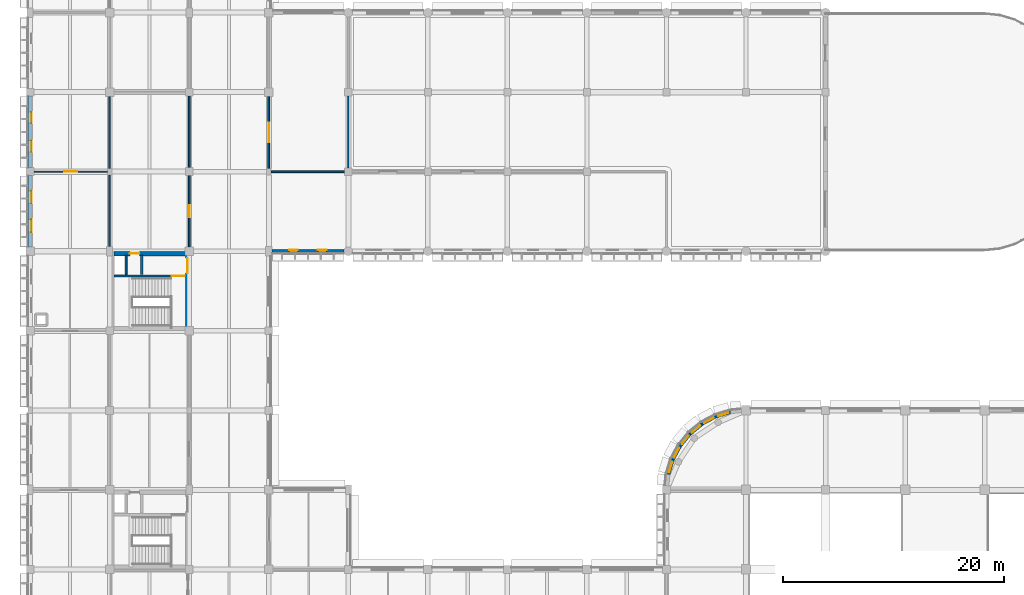
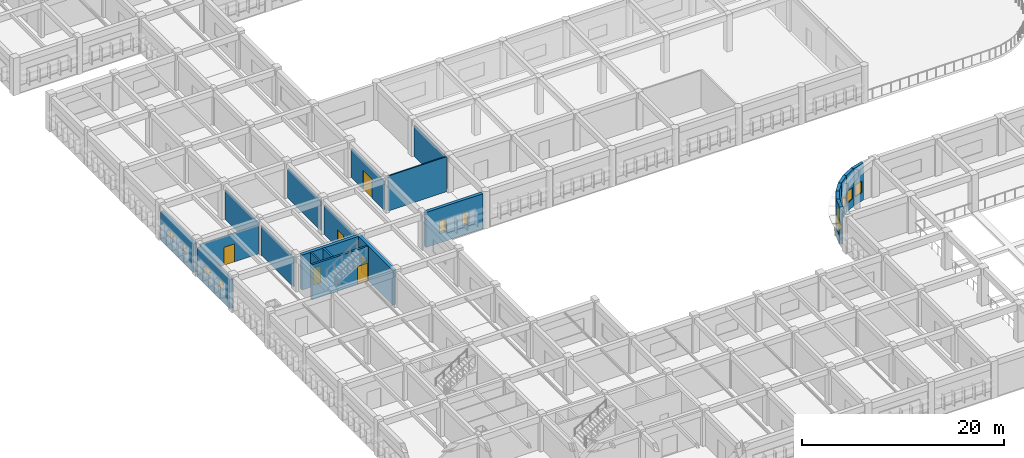
# One storey, part 38 of 61: 22 walls, 12 windows, 6 doors, 18 openings.
"""IFC4 building model written with IfcOpenShell, lengths in metres."""

from ifc_helpers import new_model, si_unit, direction, frame, frame_2d, origin, place, context, subcontext, project, spatial, rectangle, extrude, material, layer, layer_set, type_object, element, fill, save


model = new_model("IFC4")

# Units and contexts
model_context = context("Model", 3, precision=1e-05, world=origin(), true_north=direction((0.0, 1.0)))
body_context = subcontext(model_context, "Body", "Model", "MODEL_VIEW")
ifc_project = project(units=[si_unit("LENGTHUNIT", "METRE"), si_unit("AREAUNIT", "SQUARE_METRE"), si_unit("VOLUMEUNIT", "CUBIC_METRE"), si_unit("PLANEANGLEUNIT", "RADIAN"), si_unit("MASSUNIT", "GRAM", prefix="KILO")], contexts=[model_context])

# Site, building, storey
site_placement = place(None, origin())
site = spatial("IfcSite", under=ifc_project, at=site_placement, CompositionType="ELEMENT")
building_placement = place(site_placement, origin())
building = spatial("IfcBuilding", under=site, at=building_placement, Name="Thalmaran Polytechnic", CompositionType="ELEMENT")
storey_placement = place(building_placement, frame((0.0, 0.0, 9.89990234375)))
storey = spatial("IfcBuildingStorey", under=building, at=storey_placement, Name="L02", CompositionType="ELEMENT", Elevation=9.89990234375)

# Wall, openings, windows
ifc_material_1 = material(Name="Precast concrete C40/50", Category="concrete")
ifc_layer_1 = layer(ifc_material_1, 0.360107421875, Name="Precast concrete C40/50")
ifc_layer_set_1 = layer_set([ifc_layer_1], Name="Precast concrete C40/50")
wall_type_1 = type_object("IfcWallType", Name="WL-EW01", PredefinedType="STANDARD", material=ifc_layer_set_1)
wall_1_placement = place(storey_placement, frame((0.0, 50.77490234375, 0.0), z_axis=(0.0, 0.0, 1.0), x_axis=(0.0, 1.0, 0.0)))
wall_1 = element("IfcWall", 1, at=wall_1_placement, inside=storey, type_object=wall_type_1, Name="Exterior Precast Facade Wall L02-008", PredefinedType="STANDARD", context=body_context, shape_type="SweptSolid", body=[
    extrude(rectangle(XDim=6.465087890625, YDim=0.360107421875, at=frame_2d((3.232421875, 0.0))), origin(), (0.0, 0.0, 1.0), 3.47021484375),
])
opening_1_placement = place(wall_1_placement, frame((1.364501953125, 0.0, 1.14990234375)))
opening_1 = element("IfcOpeningElement", 2, at=opening_1_placement, cuts=wall_1, Name="Opening VW12", PredefinedType="OPENING", context=body_context, shape_type="SweptSolid", body=[
    extrude(rectangle(XDim=1.14990234375, YDim=1.199951171875, at=frame_2d((0.574951171875, 0.60009765625))), frame((0.0, 0.18994140625, 0.0), z_axis=(0.0, -1.0, 0.0), x_axis=(1.0, 0.0, 0.0)), (0.0, 0.0, 1.0), 0.380126953125),
])
opening_2_placement = place(wall_1_placement, frame((3.950439453125, 0.0, 1.14990234375)))
opening_2 = element("IfcOpeningElement", 3, at=opening_2_placement, cuts=wall_1, Name="Opening VW12", PredefinedType="OPENING", context=body_context, shape_type="SweptSolid", body=[
    extrude(rectangle(XDim=1.14990234375, YDim=1.199951171875, at=frame_2d((0.574951171875, 0.60009765625))), frame((0.0, 0.18994140625, 0.0), z_axis=(0.0, -1.0, 0.0), x_axis=(1.0, 0.0, 0.0)), (0.0, 0.0, 1.0), 0.380126953125),
])
ifc_material_2 = material(Name="Thermally broken aluminium and double low-E glass", Category="aluminium")
window_type_1 = type_object("IfcWindowType", Name="WN-VZ12", PartitioningType="SINGLE_PANEL", PredefinedType="WINDOW", material=ifc_material_2)
window_1_placement = place(opening_1_placement, origin())
window_1 = element("IfcWindow", 4, at=window_1_placement, inside=storey, type_object=window_type_1, Name="Deep-Set Solar-Screened Window W-0199", OverallHeight=1.199951171875, OverallWidth=1.14990234375, PartitioningType="SINGLE_PANEL", PredefinedType="WINDOW", context=body_context, shape_type="SweptSolid", body=[
    extrude(rectangle(XDim=1.14990234375, YDim=1.199951171875, at=frame_2d((0.574951171875, 0.60009765625))), frame((0.0, -0.080078125, 0.0), z_axis=(0.0, -1.0, 0.0), x_axis=(1.0, 0.0, 0.0)), (0.0, 0.0, 1.0), 0.06005859375),
])
fill(opening_1, window_1)
window_2_placement = place(opening_2_placement, origin())
window_2 = element("IfcWindow", 5, at=window_2_placement, inside=storey, type_object=window_type_1, Name="Deep-Set Solar-Screened Window W-0200", OverallHeight=1.199951171875, OverallWidth=1.14990234375, PartitioningType="SINGLE_PANEL", PredefinedType="WINDOW", context=body_context, shape_type="SweptSolid", body=[
    extrude(rectangle(XDim=1.14990234375, YDim=1.199951171875, at=frame_2d((0.574951171875, 0.60009765625))), frame((0.0, -0.080078125, 0.0), z_axis=(0.0, -1.0, 0.0), x_axis=(1.0, 0.0, 0.0)), (0.0, 0.0, 1.0), 0.06005859375),
])
fill(opening_2, window_2)

wall_2_placement = place(storey_placement, frame((0.0, 57.9599609375, 0.0), z_axis=(0.0, 0.0, 1.0), x_axis=(0.0, 1.0, 0.0)))
wall_2 = element("IfcWall", 6, at=wall_2_placement, inside=storey, type_object=wall_type_1, Name="Exterior Precast Facade Wall L02-009", PredefinedType="STANDARD", context=body_context, shape_type="SweptSolid", body=[
    extrude(rectangle(XDim=6.489990234375, YDim=0.360107421875, at=frame_2d((3.2451171875, 0.0))), origin(), (0.0, 0.0, 1.0), 3.47021484375),
])
opening_3_placement = place(wall_2_placement, frame((1.447021484375, 0.0, 1.14990234375)))
opening_3 = element("IfcOpeningElement", 7, at=opening_3_placement, cuts=wall_2, Name="Opening VW13", PredefinedType="OPENING", context=body_context, shape_type="SweptSolid", body=[
    extrude(rectangle(XDim=1.0, YDim=1.199951171875, at=frame_2d((0.5, 0.60009765625))), frame((0.0, 0.18994140625, 0.0), z_axis=(0.0, -1.0, 0.0), x_axis=(1.0, 0.0, 0.0)), (0.0, 0.0, 1.0), 0.380126953125),
])
opening_4_placement = place(wall_2_placement, frame((4.04296875, 0.0, 1.14990234375)))
opening_4 = element("IfcOpeningElement", 8, at=opening_4_placement, cuts=wall_2, Name="Opening VW13", PredefinedType="OPENING", context=body_context, shape_type="SweptSolid", body=[
    extrude(rectangle(XDim=1.0, YDim=1.199951171875, at=frame_2d((0.5, 0.60009765625))), frame((0.0, 0.18994140625, 0.0), z_axis=(0.0, -1.0, 0.0), x_axis=(1.0, 0.0, 0.0)), (0.0, 0.0, 1.0), 0.380126953125),
])
window_type_2 = type_object("IfcWindowType", Name="WN-VZ13", PartitioningType="SINGLE_PANEL", PredefinedType="WINDOW", material=ifc_material_2)
window_3_placement = place(opening_3_placement, origin())
window_3 = element("IfcWindow", 9, at=window_3_placement, inside=storey, type_object=window_type_2, Name="Deep-Set Solar-Screened Window W-0201", OverallHeight=1.199951171875, OverallWidth=1.0, PartitioningType="SINGLE_PANEL", PredefinedType="WINDOW", context=body_context, shape_type="SweptSolid", body=[
    extrude(rectangle(XDim=1.0, YDim=1.199951171875, at=frame_2d((0.5, 0.60009765625))), frame((0.0, -0.080078125, 0.0), z_axis=(0.0, -1.0, 0.0), x_axis=(1.0, 0.0, 0.0)), (0.0, 0.0, 1.0), 0.06005859375),
])
fill(opening_3, window_3)
window_4_placement = place(opening_4_placement, origin())
window_4 = element("IfcWindow", 10, at=window_4_placement, inside=storey, type_object=window_type_2, Name="Deep-Set Solar-Screened Window W-0202", OverallHeight=1.199951171875, OverallWidth=1.0, PartitioningType="SINGLE_PANEL", PredefinedType="WINDOW", context=body_context, shape_type="SweptSolid", body=[
    extrude(rectangle(XDim=1.0, YDim=1.199951171875, at=frame_2d((0.5, 0.60009765625))), frame((0.0, -0.080078125, 0.0), z_axis=(0.0, -1.0, 0.0), x_axis=(1.0, 0.0, 0.0)), (0.0, 0.0, 1.0), 0.06005859375),
])
fill(opening_4, window_4)

wall_3_placement = place(storey_placement, frame((28.39990234375, 50.39990234375, 0.0), z_axis=(0.0, 0.0, 1.0), x_axis=(-1.0, 0.0, 0.0)))
wall_3 = element("IfcWall", 11, at=wall_3_placement, inside=storey, type_object=wall_type_1, Name="Exterior Precast Facade Wall L02-128", PredefinedType="STANDARD", context=body_context, shape_type="SweptSolid", body=[
    extrude(rectangle(XDim=6.52490234375, YDim=0.360107421875, at=frame_2d((3.262451171875, 0.0))), origin(), (0.0, 0.0, 1.0), 4.22509765625),
])
opening_5_placement = place(wall_3_placement, frame((1.5576171875, 0.0, 1.14990234375)))
opening_5 = element("IfcOpeningElement", 12, at=opening_5_placement, cuts=wall_3, Name="Opening PW16", PredefinedType="OPENING", context=body_context, shape_type="SweptSolid", body=[
    extrude(rectangle(XDim=0.800048828125, YDim=1.5, at=frame_2d((0.39990234375, 0.75))), frame((0.0, 0.18994140625, 0.0), z_axis=(0.0, -1.0, 0.0), x_axis=(1.0, 0.0, 0.0)), (0.0, 0.0, 1.0), 0.380126953125),
])
opening_6_placement = place(wall_3_placement, frame((4.16748046875, 0.0, 1.14990234375)))
opening_6 = element("IfcOpeningElement", 13, at=opening_6_placement, cuts=wall_3, Name="Opening PW16", PredefinedType="OPENING", context=body_context, shape_type="SweptSolid", body=[
    extrude(rectangle(XDim=0.800048828125, YDim=1.5, at=frame_2d((0.39990234375, 0.75))), frame((0.0, 0.18994140625, 0.0), z_axis=(0.0, -1.0, 0.0), x_axis=(1.0, 0.0, 0.0)), (0.0, 0.0, 1.0), 0.380126953125),
])
window_type_3 = type_object("IfcWindowType", Name="WN-PW06", PartitioningType="SINGLE_PANEL", PredefinedType="WINDOW", material=ifc_material_2)
window_5_placement = place(opening_5_placement, origin())
window_5 = element("IfcWindow", 14, at=window_5_placement, inside=storey, type_object=window_type_3, Name="Deep-Set Solar-Screened Window W-0341", OverallHeight=1.5, OverallWidth=0.800048828125, PartitioningType="SINGLE_PANEL", PredefinedType="WINDOW", context=body_context, shape_type="SweptSolid", body=[
    extrude(rectangle(XDim=0.800048828125, YDim=1.5, at=frame_2d((0.39990234375, 0.75))), frame((0.0, -0.080078125, 0.0), z_axis=(0.0, -1.0, 0.0), x_axis=(1.0, 0.0, 0.0)), (0.0, 0.0, 1.0), 0.06005859375),
])
fill(opening_5, window_5)
window_6_placement = place(opening_6_placement, origin())
window_6 = element("IfcWindow", 15, at=window_6_placement, inside=storey, type_object=window_type_3, Name="Deep-Set Solar-Screened Window W-0342", OverallHeight=1.5, OverallWidth=0.800048828125, PartitioningType="SINGLE_PANEL", PredefinedType="WINDOW", context=body_context, shape_type="SweptSolid", body=[
    extrude(rectangle(XDim=0.800048828125, YDim=1.5, at=frame_2d((0.39990234375, 0.75))), frame((0.0, -0.080078125, 0.0), z_axis=(0.0, -1.0, 0.0), x_axis=(1.0, 0.0, 0.0)), (0.0, 0.0, 1.0), 0.06005859375),
])
fill(opening_6, window_6)

# Wall, opening, window
wall_4_placement = place(storey_placement, frame((57.73828125, 30.20458984375, 0.0), z_axis=(0.0, 0.0, 1.0), x_axis=(0.290218599957, 0.95696037757, 0.0)))
wall_4 = element("IfcWall", 16, at=wall_4_placement, inside=storey, type_object=wall_type_1, Name="Exterior Precast Facade Wall L02-140", PredefinedType="STANDARD", context=body_context, shape_type="SweptSolid", body=[
    extrude(rectangle(XDim=1.41162109375, YDim=0.360107421875, at=frame_2d((0.705810546875, 0.0))), origin(), (0.0, 0.0, 1.0), 4.47998046875),
])
opening_7_placement = place(wall_4_placement, frame((0.2255859375, 0.0, 1.0)))
opening_7 = element("IfcOpeningElement", 17, at=opening_7_placement, cuts=wall_4, Name="Opening CR01", PredefinedType="OPENING", context=body_context, shape_type="SweptSolid", body=[
    extrude(rectangle(XDim=0.9599609375, YDim=1.39990234375, at=frame_2d((0.47998046875, 0.699951171875))), frame((0.0, 0.18994140625, 0.0), z_axis=(0.0, -1.0, 0.0), x_axis=(1.0, 0.0, 0.0)), (0.0, 0.0, 1.0), 0.380126953125),
])
window_type_4 = type_object("IfcWindowType", Name="WN-CR01", PartitioningType="SINGLE_PANEL", PredefinedType="WINDOW", material=ifc_material_2)
window_7_placement = place(opening_7_placement, origin())
window_7 = element("IfcWindow", 18, at=window_7_placement, inside=storey, type_object=window_type_4, Name="Curved Prow Ribbon Window W-0354", OverallHeight=1.39990234375, OverallWidth=0.9599609375, PartitioningType="SINGLE_PANEL", PredefinedType="WINDOW", context=body_context, shape_type="SweptSolid", body=[
    extrude(rectangle(XDim=0.9599609375, YDim=1.39990234375, at=frame_2d((0.47998046875, 0.699951171875))), frame((0.0, -0.010009765625, 0.0), z_axis=(0.0, -1.0, 0.0), x_axis=(1.0, 0.0, 0.0)), (0.0, 0.0, 1.0), 0.06005859375),
])
fill(opening_7, window_7)

wall_5_placement = place(storey_placement, frame((58.14794921875, 31.555419921875, 0.0), z_axis=(0.0, 0.0, 1.0), x_axis=(0.471539643102, 0.881844864465, 0.0)))
wall_5 = element("IfcWall", 19, at=wall_5_placement, inside=storey, type_object=wall_type_1, Name="Exterior Precast Facade Wall L02-141", PredefinedType="STANDARD", context=body_context, shape_type="SweptSolid", body=[
    extrude(rectangle(XDim=1.411376953125, YDim=0.360107421875, at=frame_2d((0.70556640625, 0.0))), origin(), (0.0, 0.0, 1.0), 4.47998046875),
])
opening_8_placement = place(wall_5_placement, frame((0.2255859375, 0.0, 1.0)))
opening_8 = element("IfcOpeningElement", 20, at=opening_8_placement, cuts=wall_5, Name="Opening CR01", PredefinedType="OPENING", context=body_context, shape_type="SweptSolid", body=[
    extrude(rectangle(XDim=0.9599609375, YDim=1.39990234375, at=frame_2d((0.47998046875, 0.699951171875))), frame((0.0, 0.18994140625, 0.0), z_axis=(0.0, -1.0, 0.0), x_axis=(1.0, 0.0, 0.0)), (0.0, 0.0, 1.0), 0.380126953125),
])
window_8_placement = place(opening_8_placement, origin())
window_8 = element("IfcWindow", 21, at=window_8_placement, inside=storey, type_object=window_type_4, Name="Curved Prow Ribbon Window W-0355", OverallHeight=1.39990234375, OverallWidth=0.9599609375, PartitioningType="SINGLE_PANEL", PredefinedType="WINDOW", context=body_context, shape_type="SweptSolid", body=[
    extrude(rectangle(XDim=0.9599609375, YDim=1.39990234375, at=frame_2d((0.47998046875, 0.699951171875))), frame((0.0, -0.010009765625, 0.0), z_axis=(0.0, -1.0, 0.0), x_axis=(1.0, 0.0, 0.0)), (0.0, 0.0, 1.0), 0.06005859375),
])
fill(opening_8, window_8)

wall_6_placement = place(storey_placement, frame((58.8134765625, 32.800048828125, 0.0), z_axis=(0.0, 0.0, 1.0), x_axis=(0.63432986571, 0.773062495189, 0.0)))
wall_6 = element("IfcWall", 22, at=wall_6_placement, inside=storey, type_object=wall_type_1, Name="Exterior Precast Facade Wall L02-142", PredefinedType="STANDARD", context=body_context, shape_type="SweptSolid", body=[
    extrude(rectangle(XDim=1.411376953125, YDim=0.360107421875, at=frame_2d((0.70556640625, 0.0))), origin(), (0.0, 0.0, 1.0), 4.47998046875),
])
opening_9_placement = place(wall_6_placement, frame((0.2255859375, 0.0, 1.0)))
opening_9 = element("IfcOpeningElement", 23, at=opening_9_placement, cuts=wall_6, Name="Opening CR01", PredefinedType="OPENING", context=body_context, shape_type="SweptSolid", body=[
    extrude(rectangle(XDim=0.9599609375, YDim=1.39990234375, at=frame_2d((0.47998046875, 0.699951171875))), frame((0.0, 0.18994140625, 0.0), z_axis=(0.0, -1.0, 0.0), x_axis=(1.0, 0.0, 0.0)), (0.0, 0.0, 1.0), 0.380126953125),
])
window_9_placement = place(opening_9_placement, origin())
window_9 = element("IfcWindow", 24, at=window_9_placement, inside=storey, type_object=window_type_4, Name="Curved Prow Ribbon Window W-0356", OverallHeight=1.39990234375, OverallWidth=0.9599609375, PartitioningType="SINGLE_PANEL", PredefinedType="WINDOW", context=body_context, shape_type="SweptSolid", body=[
    extrude(rectangle(XDim=0.9599609375, YDim=1.39990234375, at=frame_2d((0.47998046875, 0.699951171875))), frame((0.0, -0.010009765625, 0.0), z_axis=(0.0, -1.0, 0.0), x_axis=(1.0, 0.0, 0.0)), (0.0, 0.0, 1.0), 0.06005859375),
])
fill(opening_9, window_9)

wall_7_placement = place(storey_placement, frame((59.708740234375, 33.89111328125, 0.0), z_axis=(0.0, 0.0, 1.0), x_axis=(0.772977670605, 0.634433227965, 0.0)))
wall_7 = element("IfcWall", 25, at=wall_7_placement, inside=storey, type_object=wall_type_1, Name="Exterior Precast Facade Wall L02-143", PredefinedType="STANDARD", context=body_context, shape_type="SweptSolid", body=[
    extrude(rectangle(XDim=1.41162109375, YDim=0.360107421875, at=frame_2d((0.705810546875, 0.0))), origin(), (0.0, 0.0, 1.0), 4.47998046875),
])
opening_10_placement = place(wall_7_placement, frame((0.2255859375, 0.0, 1.0)))
opening_10 = element("IfcOpeningElement", 26, at=opening_10_placement, cuts=wall_7, Name="Opening CR01", PredefinedType="OPENING", context=body_context, shape_type="SweptSolid", body=[
    extrude(rectangle(XDim=0.9599609375, YDim=1.39990234375, at=frame_2d((0.47998046875, 0.699951171875))), frame((0.0, 0.18994140625, 0.0), z_axis=(0.0, -1.0, 0.0), x_axis=(1.0, 0.0, 0.0)), (0.0, 0.0, 1.0), 0.380126953125),
])
window_10_placement = place(opening_10_placement, origin())
window_10 = element("IfcWindow", 27, at=window_10_placement, inside=storey, type_object=window_type_4, Name="Curved Prow Ribbon Window W-0357", OverallHeight=1.39990234375, OverallWidth=0.9599609375, PartitioningType="SINGLE_PANEL", PredefinedType="WINDOW", context=body_context, shape_type="SweptSolid", body=[
    extrude(rectangle(XDim=0.9599609375, YDim=1.39990234375, at=frame_2d((0.47998046875, 0.699951171875))), frame((0.0, -0.010009765625, 0.0), z_axis=(0.0, -1.0, 0.0), x_axis=(1.0, 0.0, 0.0)), (0.0, 0.0, 1.0), 0.06005859375),
])
fill(opening_10, window_10)

ifc_layer_2 = layer(ifc_material_1, 0.330078125, Name="Precast concrete C40/50")
ifc_layer_set_2 = layer_set([ifc_layer_2], Name="Precast concrete C40/50")
wall_type_2 = type_object("IfcWallType", Name="WL-EW02", PredefinedType="STANDARD", material=ifc_layer_set_2)
wall_8_placement = place(storey_placement, frame((60.7998046875, 34.78662109375, 0.0), z_axis=(0.0, 0.0, 1.0), x_axis=(0.881955222984, 0.471333199182, 0.0)))
wall_8 = element("IfcWall", 28, at=wall_8_placement, inside=storey, type_object=wall_type_2, Name="Exterior Precast Facade Wall L02-144", PredefinedType="STANDARD", context=body_context, shape_type="SweptSolid", body=[
    extrude(rectangle(XDim=1.411376953125, YDim=0.330078125, at=frame_2d((0.70556640625, 0.0))), origin(), (0.0, 0.0, 1.0), 4.47998046875),
])
opening_11_placement = place(wall_8_placement, frame((0.2255859375, 0.0, 1.0)))
opening_11 = element("IfcOpeningElement", 29, at=opening_11_placement, cuts=wall_8, Name="Opening CR01", PredefinedType="OPENING", context=body_context, shape_type="SweptSolid", body=[
    extrude(rectangle(XDim=0.9599609375, YDim=1.39990234375, at=frame_2d((0.47998046875, 0.699951171875))), frame((0.0, 0.175048828125, 0.0), z_axis=(0.0, -1.0, 0.0), x_axis=(1.0, 0.0, 0.0)), (0.0, 0.0, 1.0), 0.35009765625),
])
window_11_placement = place(opening_11_placement, origin())
window_11 = element("IfcWindow", 30, at=window_11_placement, inside=storey, type_object=window_type_4, Name="Curved Prow Ribbon Window W-0358", OverallHeight=1.39990234375, OverallWidth=0.9599609375, PartitioningType="SINGLE_PANEL", PredefinedType="WINDOW", context=body_context, shape_type="SweptSolid", body=[
    extrude(rectangle(XDim=0.9599609375, YDim=1.39990234375, at=frame_2d((0.47998046875, 0.699951171875))), frame((0.0, -0.010009765625, 0.0), z_axis=(0.0, -1.0, 0.0), x_axis=(1.0, 0.0, 0.0)), (0.0, 0.0, 1.0), 0.06005859375),
])
fill(opening_11, window_11)

wall_9_placement = place(storey_placement, frame((62.044677734375, 35.451904296875, 0.0), z_axis=(0.0, 0.0, 1.0), x_axis=(0.956945806495, 0.290266641956, 0.0)))
wall_9 = element("IfcWall", 31, at=wall_9_placement, inside=storey, type_object=wall_type_2, Name="Exterior Precast Facade Wall L02-145", PredefinedType="STANDARD", context=body_context, shape_type="SweptSolid", body=[
    extrude(rectangle(XDim=1.411376953125, YDim=0.330078125, at=frame_2d((0.70556640625, 0.0))), origin(), (0.0, 0.0, 1.0), 4.47998046875),
])
opening_12_placement = place(wall_9_placement, frame((0.2255859375, 0.0, 1.0)))
opening_12 = element("IfcOpeningElement", 32, at=opening_12_placement, cuts=wall_9, Name="Opening CR01", PredefinedType="OPENING", context=body_context, shape_type="SweptSolid", body=[
    extrude(rectangle(XDim=0.9599609375, YDim=1.39990234375, at=frame_2d((0.47998046875, 0.699951171875))), frame((0.0, 0.175048828125, 0.0), z_axis=(0.0, -1.0, 0.0), x_axis=(1.0, 0.0, 0.0)), (0.0, 0.0, 1.0), 0.35009765625),
])
window_12_placement = place(opening_12_placement, origin())
window_12 = element("IfcWindow", 33, at=window_12_placement, inside=storey, type_object=window_type_4, Name="Curved Prow Ribbon Window W-0359", OverallHeight=1.39990234375, OverallWidth=0.9599609375, PartitioningType="SINGLE_PANEL", PredefinedType="WINDOW", context=body_context, shape_type="SweptSolid", body=[
    extrude(rectangle(XDim=0.9599609375, YDim=1.39990234375, at=frame_2d((0.47998046875, 0.699951171875))), frame((0.0, -0.010009765625, 0.0), z_axis=(0.0, -1.0, 0.0), x_axis=(1.0, 0.0, 0.0)), (0.0, 0.0, 1.0), 0.06005859375),
])
fill(opening_12, window_12)

# Walls
ifc_material_3 = material(Name="Autoclaved aerated masonry", Category="masonry")
ifc_layer_3 = layer(ifc_material_3, 0.22998046875, Name="Autoclaved aerated masonry")
ifc_layer_set_3 = layer_set([ifc_layer_3], Name="Autoclaved aerated masonry")
wall_type_3 = type_object("IfcWallType", Name="WL-IW02", PredefinedType="PARTITIONING", material=ifc_layer_set_3)
wall_10_placement = place(storey_placement, frame((10.10009765625, 48.300048828125, 0.0), z_axis=(0.0, 0.0, 1.0), x_axis=(0.0, 1.0, 0.0)))
element("IfcWall", 34, at=wall_10_placement, inside=storey, type_object=wall_type_3, Name="Core C4 Riser Partition L02", PredefinedType="PARTITIONING", context=body_context, shape_type="SweptSolid", body=[
    extrude(rectangle(XDim=1.739990234375, YDim=0.22998046875, at=frame_2d((0.8701171875, 0.0))), origin(), (0.0, 0.0, 1.0), 4.22509765625),
])
ifc_layer_4 = layer(ifc_material_3, 0.179931640625, Name="Autoclaved aerated masonry")
ifc_layer_set_4 = layer_set([ifc_layer_4], Name="Autoclaved aerated masonry")
wall_type_4 = type_object("IfcWallType", Name="WL-IW04", PredefinedType="PARTITIONING", material=ifc_layer_set_4)
wall_11_placement = place(storey_placement, frame((8.679931640625, 48.280029296875, 0.0), z_axis=(0.0, 0.0, 1.0), x_axis=(0.0, 1.0, 0.0)))
element("IfcWall", 35, at=wall_11_placement, inside=storey, type_object=wall_type_4, Name="Core C4 Riser Shaft Enclosure Wall L02", PredefinedType="PARTITIONING", context=body_context, shape_type="SweptSolid", body=[
    extrude(rectangle(XDim=1.760009765625, YDim=0.179931640625, at=frame_2d((0.8798828125, 0.0))), origin(), (0.0, 0.0, 1.0), 4.22509765625),
])

# Wall, opening, door
ifc_material_4 = material(Name="Gypsum acoustic partition")
ifc_layer_5 = layer(ifc_material_4, 0.14501953125, Name="Gypsum acoustic partition")
ifc_layer_set_5 = layer_set([ifc_layer_5], Name="Gypsum acoustic partition")
wall_type_5 = type_object("IfcWallType", Name="WL-IW06", PredefinedType="PARTITIONING", material=ifc_layer_set_5)
wall_12_placement = place(storey_placement, frame((14.39990234375, 50.780029296875, 0.0), z_axis=(0.0, 0.0, 1.0), x_axis=(0.0, 1.0, 0.0)))
wall_12 = element("IfcWall", 36, at=wall_12_placement, inside=storey, type_object=wall_type_5, Name="Interior Partition IW06 L02-020", PredefinedType="PARTITIONING", context=body_context, shape_type="SweptSolid", body=[
    extrude(rectangle(XDim=6.455078125, YDim=0.14501953125, at=frame_2d((3.2275390625, 0.0))), origin(), (0.0, 0.0, 1.0), 3.5400390625),
])
opening_13_placement = place(wall_12_placement, frame((2.677490234375, 0.0, 0.0)))
opening_13 = element("IfcOpeningElement", 37, at=opening_13_placement, cuts=wall_12, Name="Opening D-L02-006-1-09-1", PredefinedType="OPENING", context=body_context, shape_type="SweptSolid", body=[
    extrude(rectangle(XDim=1.10009765625, YDim=2.14990234375, at=frame_2d((0.550048828125, 1.074951171875))), frame((0.0, 0.08251953125, 0.0), z_axis=(0.0, -1.0, 0.0), x_axis=(1.0, 0.0, 0.0)), (0.0, 0.0, 1.0), 0.1650390625),
])
ifc_material_5 = material(Name="Powder-coated fire-rated steel", Category="steel")
door_type_1 = type_object("IfcDoorType", Name="DR-FD07", OperationType="NOTDEFINED", PredefinedType="DOOR", material=ifc_material_5)
door_1_placement = place(opening_13_placement, origin())
door_1 = element("IfcDoor", 38, at=door_1_placement, inside=storey, type_object=door_type_1, Name="Materials Testing Laboratory L02-09 Door 1", OperationType="SINGLE_SWING_LEFT", OverallHeight=2.14990234375, OverallWidth=1.10009765625, PredefinedType="DOOR", context=body_context, shape_type="SweptSolid", body=[
    extrude(rectangle(XDim=1.10009765625, YDim=2.14990234375, at=frame_2d((0.550048828125, 1.074951171875))), frame((0.0, 0.02490234375, 0.0), z_axis=(0.0, -1.0, 0.0), x_axis=(1.0, 0.0, 0.0)), (0.0, 0.0, 1.0), 0.050048828125),
])
fill(opening_13, door_1)

# Wall
wall_13_placement = place(storey_placement, frame((14.39990234375, 57.965087890625, 0.0), z_axis=(0.0, 0.0, 1.0), x_axis=(0.0, 1.0, 0.0)))
element("IfcWall", 39, at=wall_13_placement, inside=storey, type_object=wall_type_5, Name="Interior Partition IW06 L02-021", PredefinedType="PARTITIONING", context=body_context, shape_type="SweptSolid", body=[
    extrude(rectangle(XDim=6.47998046875, YDim=0.14501953125, at=frame_2d((3.239990234375, 0.0))), origin(), (0.0, 0.0, 1.0), 3.53515625),
])

# Wall, opening, door
wall_14_placement = place(storey_placement, frame((21.60009765625, 57.905029296875, 0.0), z_axis=(0.0, 0.0, 1.0), x_axis=(0.0, 1.0, 0.0)))
wall_14 = element("IfcWall", 40, at=wall_14_placement, inside=storey, type_object=wall_type_5, Name="Interior Partition IW06 L02-033", PredefinedType="PARTITIONING", context=body_context, shape_type="SweptSolid", body=[
    extrude(rectangle(XDim=6.5, YDim=0.14501953125, at=frame_2d((3.25, 0.0))), origin(), (0.0, 0.0, 1.0), 3.47021484375),
])
opening_14_placement = place(wall_14_placement, frame((2.3701171875, 0.0, 0.0)))
opening_14 = element("IfcOpeningElement", 41, at=opening_14_placement, cuts=wall_14, Name="Opening D-L02-009-1-12-1", PredefinedType="OPENING", context=body_context, shape_type="SweptSolid", body=[
    extrude(rectangle(XDim=1.760009765625, YDim=2.300048828125, at=frame_2d((0.8798828125, 1.14990234375))), frame((0.0, 0.08251953125, 0.0), z_axis=(0.0, -1.0, 0.0), x_axis=(1.0, 0.0, 0.0)), (0.0, 0.0, 1.0), 0.1650390625),
])
ifc_material_6 = material(Name="Acoustic hardwood and vision glass", Category="wood")
door_type_2 = type_object("IfcDoorType", Name="DR-ZD02", OperationType="NOTDEFINED", PredefinedType="DOOR", material=ifc_material_6)
door_2_placement = place(opening_14_placement, origin())
door_2 = element("IfcDoor", 42, at=door_2_placement, inside=storey, type_object=door_type_2, Name="Thermodynamics Laboratory L02-12 Door 1", OperationType="SINGLE_SWING_RIGHT", OverallHeight=2.300048828125, OverallWidth=1.760009765625, PredefinedType="DOOR", context=body_context, shape_type="SweptSolid", body=[
    extrude(rectangle(XDim=1.760009765625, YDim=2.300048828125, at=frame_2d((0.8798828125, 1.14990234375))), frame((0.0, 0.02490234375, 0.0), z_axis=(0.0, -1.0, 0.0), x_axis=(1.0, 0.0, 0.0)), (0.0, 0.0, 1.0), 0.050048828125),
])
fill(opening_14, door_2)

# Walls
wall_15_placement = place(storey_placement, frame((21.804931640625, 57.60009765625, 0.0), z_axis=(0.0, 0.0, 1.0), x_axis=(1.0, 0.0, 0.0)))
element("IfcWall", 43, at=wall_15_placement, inside=storey, type_object=wall_type_5, Name="Interior Partition IW06 L02-040", PredefinedType="PARTITIONING", context=body_context, shape_type="SweptSolid", body=[
    extrude(rectangle(XDim=6.6650390625, YDim=0.14501953125, at=frame_2d((3.33251953125, 0.0))), origin(), (0.0, 0.0, 1.0), 4.22509765625),
])
ifc_layer_6 = layer(ifc_material_4, 0.1298828125, Name="Gypsum acoustic partition")
ifc_layer_set_6 = layer_set([ifc_layer_6], Name="Gypsum acoustic partition")
wall_type_6 = type_object("IfcWallType", Name="WL-IW07", PredefinedType="PARTITIONING", material=ifc_layer_set_6)
wall_16_placement = place(storey_placement, frame((7.199951171875, 50.830078125, 0.0), z_axis=(0.0, 0.0, 1.0), x_axis=(0.0, 1.0, 0.0)))
element("IfcWall", 44, at=wall_16_placement, inside=storey, type_object=wall_type_6, Name="Interior Partition IW07 L02-008", PredefinedType="PARTITIONING", context=body_context, shape_type="SweptSolid", body=[
    extrude(rectangle(XDim=6.46484375, YDim=0.1298828125, at=frame_2d((3.232421875, 0.0))), origin(), (0.0, 0.0, 1.0), 3.5400390625),
])
wall_17_placement = place(storey_placement, frame((7.199951171875, 57.905029296875, 0.0), z_axis=(0.0, 0.0, 1.0), x_axis=(0.0, 1.0, 0.0)))
element("IfcWall", 45, at=wall_17_placement, inside=storey, type_object=wall_type_6, Name="Interior Partition IW07 L02-010", PredefinedType="PARTITIONING", context=body_context, shape_type="SweptSolid", body=[
    extrude(rectangle(XDim=6.5, YDim=0.1298828125, at=frame_2d((3.25, 0.0))), origin(), (0.0, 0.0, 1.0), 3.53515625),
])

# Wall, opening, door
ifc_layer_7 = layer(ifc_material_4, 0.114990234375, Name="Gypsum acoustic partition")
ifc_layer_set_7 = layer_set([ifc_layer_7], Name="Gypsum acoustic partition")
wall_type_7 = type_object("IfcWallType", Name="WL-IW08", PredefinedType="PARTITIONING", material=ifc_layer_set_7)
wall_18_placement = place(storey_placement, frame((0.364990234375, 57.60009765625, 0.0), z_axis=(0.0, 0.0, 1.0), x_axis=(1.0, 0.0, 0.0)))
wall_18 = element("IfcWall", 46, at=wall_18_placement, inside=storey, type_object=wall_type_7, Name="Interior Partition IW08 L02-009", PredefinedType="PARTITIONING", context=body_context, shape_type="SweptSolid", body=[
    extrude(rectangle(XDim=6.630126953125, YDim=0.114990234375, at=frame_2d((3.31494140625, 0.0))), origin(), (0.0, 0.0, 1.0), 3.485107421875),
])
opening_15_placement = place(wall_18_placement, frame((2.72509765625, 0.0, 0.0)))
opening_15 = element("IfcOpeningElement", 47, at=opening_15_placement, cuts=wall_18, Name="Opening D-L02-057-1-05-1", PredefinedType="OPENING", context=body_context, shape_type="SweptSolid", body=[
    extrude(rectangle(XDim=1.179931640625, YDim=2.179931640625, at=frame_2d((0.58984375, 1.08984375))), frame((0.0, 0.0673828125, 0.0), z_axis=(0.0, -1.0, 0.0), x_axis=(1.0, 0.0, 0.0)), (0.0, 0.0, 1.0), 0.135009765625),
])
ifc_material_7 = material(Name="Acoustic hardwood", Category="wood")
door_type_3 = type_object("IfcDoorType", Name="DR-ZD05", OperationType="NOTDEFINED", PredefinedType="DOOR", material=ifc_material_7)
door_3_placement = place(opening_15_placement, origin())
door_3 = element("IfcDoor", 48, at=door_3_placement, inside=storey, type_object=door_type_3, Name="Environmental Engineering Laboratory L02-05 Door 1", OperationType="SINGLE_SWING_RIGHT", OverallHeight=2.179931640625, OverallWidth=1.179931640625, PredefinedType="DOOR", context=body_context, shape_type="SweptSolid", body=[
    extrude(rectangle(XDim=1.179931640625, YDim=2.179931640625, at=frame_2d((0.58984375, 1.08984375))), frame((0.0, 0.02490234375, 0.0), z_axis=(0.0, -1.0, 0.0), x_axis=(1.0, 0.0, 0.0)), (0.0, 0.0, 1.0), 0.050048828125),
])
fill(opening_15, door_3)

# Wall
wall_19_placement = place(storey_placement, frame((28.800048828125, 57.929931640625, 0.0), z_axis=(0.0, 0.0, 1.0), x_axis=(0.0, 1.0, 0.0)))
element("IfcWall", 49, at=wall_19_placement, inside=storey, type_object=wall_type_7, Name="Interior Partition IW08 L02-041", PredefinedType="PARTITIONING", context=body_context, shape_type="SweptSolid", body=[
    extrude(rectangle(XDim=6.5400390625, YDim=0.114990234375, at=frame_2d((3.27001953125, 0.0))), origin(), (0.0, 0.0, 1.0), 3.7451171875),
])

# Wall, opening, door
ifc_material_8 = material(Name="Concrete C50/60", Category="concrete")
ifc_layer_8 = layer(ifc_material_8, 0.3798828125, Name="Concrete C50/60")
ifc_layer_set_8 = layer_set([ifc_layer_8], Name="Concrete C50/60")
wall_type_8 = type_object("IfcWallType", Name="WL-SW02", PredefinedType="SHEAR", material=ifc_layer_set_8)
wall_20_placement = place(storey_placement, frame((7.610107421875, 50.179931640625, 0.0), z_axis=(0.0, 0.0, 1.0), x_axis=(1.0, 0.0, 0.0)))
wall_20 = element("IfcWall", 50, at=wall_20_placement, inside=storey, type_object=wall_type_8, Name="Core C4 North Shear Wall L02", PredefinedType="SHEAR", context=body_context, shape_type="SweptSolid", body=[
    extrude(rectangle(XDim=6.4599609375, YDim=0.3798828125, at=frame_2d((3.22998046875, 0.0))), origin(), (0.0, 0.0, 1.0), 4.22509765625),
])
opening_16_placement = place(wall_20_placement, frame((1.419921875, 0.0, 0.0)))
opening_16 = element("IfcOpeningElement", 51, at=opening_16_placement, cuts=wall_20, Name="Opening DR-C4-L02-R", PredefinedType="OPENING", context=body_context, shape_type="SweptSolid", body=[
    extrude(rectangle(XDim=0.85009765625, YDim=2.10009765625, at=frame_2d((0.425048828125, 1.050048828125))), frame((0.0, 0.199951171875, 0.0), z_axis=(0.0, -1.0, 0.0), x_axis=(1.0, 0.0, 0.0)), (0.0, 0.0, 1.0), 0.39990234375),
])
door_type_4 = type_object("IfcDoorType", Name="DR-FD09", OperationType="NOTDEFINED", PredefinedType="DOOR", material=ifc_material_5)
door_4_placement = place(opening_16_placement, origin())
door_4 = element("IfcDoor", 52, at=door_4_placement, inside=storey, type_object=door_type_4, Name="Riser Access Fire Door C4 L02", OperationType="SINGLE_SWING_RIGHT", OverallHeight=2.10009765625, OverallWidth=0.85009765625, PredefinedType="DOOR", context=body_context, shape_type="SweptSolid", body=[
    extrude(rectangle(XDim=0.85009765625, YDim=2.10009765625, at=frame_2d((0.425048828125, 1.050048828125))), frame((0.0, 0.02490234375, 0.0), z_axis=(0.0, -1.0, 0.0), x_axis=(1.0, 0.0, 0.0)), (0.0, 0.0, 1.0), 0.050048828125),
])
fill(opening_16, door_4)

wall_21_placement = place(storey_placement, frame((7.610107421875, 48.159912109375, 0.0), z_axis=(0.0, 0.0, 1.0), x_axis=(1.0, 0.0, 0.0)))
wall_21 = element("IfcWall", 53, at=wall_21_placement, inside=storey, type_object=wall_type_8, Name="Core C4 Stair Partition L02", PredefinedType="SHEAR", context=body_context, shape_type="SweptSolid", body=[
    extrude(rectangle(XDim=6.4599609375, YDim=0.219970703125, at=frame_2d((3.22998046875, 0.0))), origin(), (0.0, 0.0, 1.0), 4.22509765625),
])
opening_17_placement = place(wall_21_placement, frame((5.199951171875, 0.0, 0.0)))
opening_17 = element("IfcOpeningElement", 54, at=opening_17_placement, cuts=wall_21, Name="Opening SD-ST4-L02", PredefinedType="OPENING", context=body_context, shape_type="SweptSolid", body=[
    extrude(rectangle(XDim=1.199951171875, YDim=2.199951171875, at=frame_2d((0.60009765625, 1.10009765625))), frame((0.0, 0.119873046875, 0.0), z_axis=(0.0, -1.0, 0.0), x_axis=(1.0, 0.0, 0.0)), (0.0, 0.0, 1.0), 0.239990234375),
])
door_type_5 = type_object("IfcDoorType", Name="DR-FD04", OperationType="NOTDEFINED", PredefinedType="DOOR", material=ifc_material_5)
door_5_placement = place(opening_17_placement, origin())
door_5 = element("IfcDoor", 55, at=door_5_placement, inside=storey, type_object=door_type_5, Name="Exit Stair Fire Door ST4 L02", OperationType="DOUBLE_DOOR_SINGLE_SWING", OverallHeight=2.199951171875, OverallWidth=1.199951171875, PredefinedType="DOOR", context=body_context, shape_type="SweptSolid", body=[
    extrude(rectangle(XDim=1.199951171875, YDim=2.199951171875, at=frame_2d((0.60009765625, 1.10009765625))), frame((0.0, 0.02490234375, 0.0), z_axis=(0.0, -1.0, 0.0), x_axis=(1.0, 0.0, 0.0)), (0.0, 0.0, 1.0), 0.050048828125),
])
fill(opening_17, door_5)

wall_22_placement = place(storey_placement, frame((14.260009765625, 43.22998046875, 0.0), z_axis=(0.0, 0.0, 1.0), x_axis=(0.0, 1.0, 0.0)))
wall_22 = element("IfcWall", 56, at=wall_22_placement, inside=storey, type_object=wall_type_8, Name="Core C4 East Shear Wall L02", PredefinedType="SHEAR", context=body_context, shape_type="SweptSolid", body=[
    extrude(rectangle(XDim=7.14013671875, YDim=0.3798828125, at=frame_2d((3.570068359375, 0.0))), origin(), (0.0, 0.0, 1.0), 4.22509765625),
])
opening_18_placement = place(wall_22_placement, frame((5.199951171875, 0.0, 0.0)))
opening_18 = element("IfcOpeningElement", 57, at=opening_18_placement, cuts=wall_22, Name="Opening LD-C4-L02", PredefinedType="OPENING", context=body_context, shape_type="SweptSolid", body=[
    extrude(rectangle(XDim=1.35009765625, YDim=2.14990234375, at=frame_2d((0.675048828125, 1.074951171875))), frame((0.0, 0.199951171875, 0.0), z_axis=(0.0, -1.0, 0.0), x_axis=(1.0, 0.0, 0.0)), (0.0, 0.0, 1.0), 0.39990234375),
])
door_type_6 = type_object("IfcDoorType", Name="DR-FD06", OperationType="NOTDEFINED", PredefinedType="DOOR", material=ifc_material_5)
door_6_placement = place(opening_18_placement, origin())
door_6 = element("IfcDoor", 58, at=door_6_placement, inside=storey, type_object=door_type_6, Name="Stair Lobby Fire Door C4 L02", OperationType="SINGLE_SWING_LEFT", OverallHeight=2.14990234375, OverallWidth=1.35009765625, PredefinedType="DOOR", context=body_context, shape_type="SweptSolid", body=[
    extrude(rectangle(XDim=1.35009765625, YDim=2.14990234375, at=frame_2d((0.675048828125, 1.074951171875))), frame((0.0, 0.02490234375, 0.0), z_axis=(0.0, -1.0, 0.0), x_axis=(1.0, 0.0, 0.0)), (0.0, 0.0, 1.0), 0.050048828125),
])
fill(opening_18, door_6)

save(model, "model.ifc")
